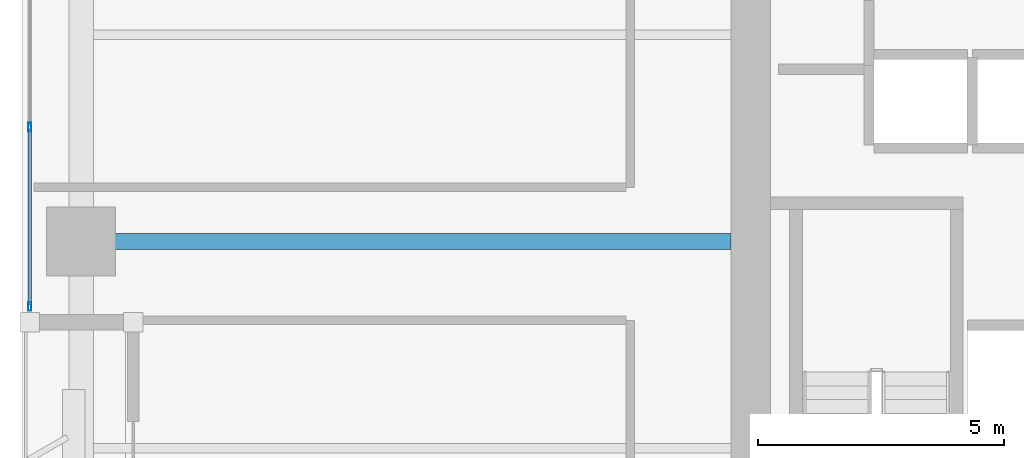
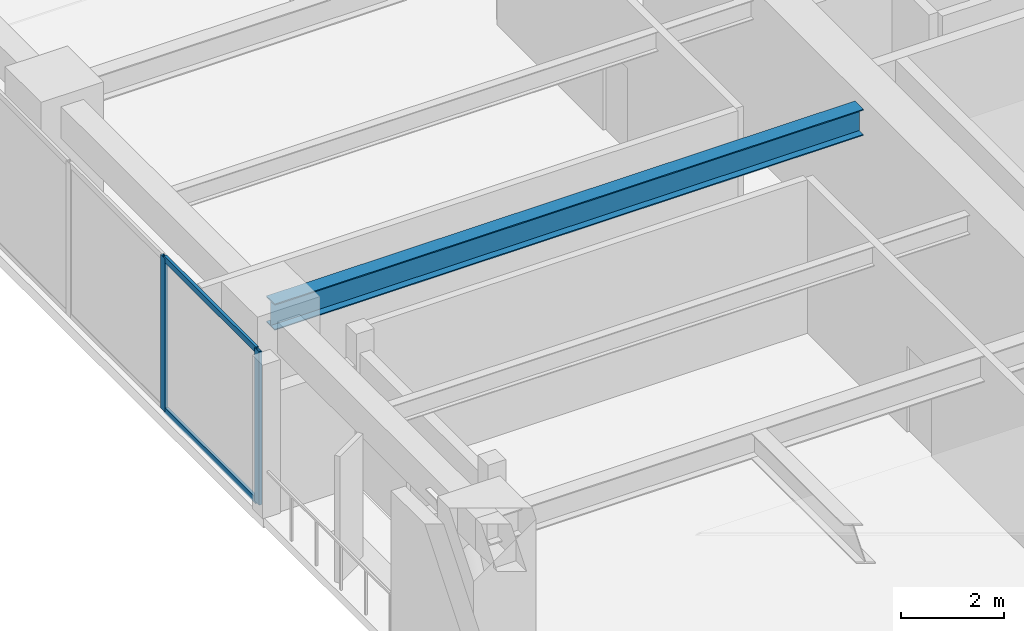
# One storey, part 2 of 24: 4 members, 1 beam, 1 element without a shape of its own.
"""IFC4 building model written with IfcOpenShell, lengths in metres."""

from ifc_helpers import new_model, si_unit, direction, frame, origin, origin_2d, place, context, subcontext, project, spatial, hollow_rectangle, i_section, extrude, material, layer, layer_set, material_profile, profile_set, type_object, element, aggregate, save


model = new_model("IFC4")

# Units and contexts
model_context = context("Model", 3, precision=1e-05, world=origin(), true_north=direction((0.0, 1.0)))
body_context = subcontext(model_context, "Body", "Model", "MODEL_VIEW")
ifc_project = project(units=[si_unit("LENGTHUNIT", "METRE"), si_unit("AREAUNIT", "SQUARE_METRE"), si_unit("VOLUMEUNIT", "CUBIC_METRE"), si_unit("PLANEANGLEUNIT", "RADIAN"), si_unit("MASSUNIT", "GRAM", prefix="KILO")], contexts=[model_context])

# Site, building, storey
site_placement = place(None, origin())
site = spatial("IfcSite", under=ifc_project, at=site_placement, CompositionType="ELEMENT")
building_placement = place(site_placement, origin())
building = spatial("IfcBuilding", under=site, at=building_placement, Name="Kiyonajd Concourse Tower", CompositionType="ELEMENT")
storey_placement = place(building_placement, frame((0.0, 0.0, 133.800048828125)))
storey = spatial("IfcBuildingStorey", under=building, at=storey_placement, Name="L34", CompositionType="ELEMENT", Elevation=133.800048828125)

# Beam
ifc_material_1 = material(Name="Steel ASTM A992 Grade 50", Category="steel")
ifc_material_profile_1 = material_profile(ifc_material_1, i_section(OverallWidth=0.326904296875, OverallDepth=0.6220703125, WebThickness=0.015380859375, FlangeThickness=0.0244140625, at=origin_2d()), Name="W610X195")
ifc_profile_set_1 = profile_set([ifc_material_profile_1], Name="Steel ASTM A992 Grade 50")
beam_type = type_object("IfcBeamType", Name="BM-TWR-610A", PredefinedType="BEAM", material=ifc_profile_set_1)
beam_placement = place(storey_placement, frame((19.199951171875, 36.0, 3.328857421875), z_axis=(1.0, 0.0, 0.0), x_axis=(0.0, 1.0, 0.0)))
element("IfcBeam", 1, at=beam_placement, inside=storey, type_object=beam_type, Name="L34 West Lease Girder", PredefinedType="BEAM", context=body_context, shape_type="SweptSolid", body=[
    extrude(i_section(OverallWidth=0.326904296875, OverallDepth=0.6220703125, WebThickness=0.015380859375, FlangeThickness=0.0244140625, at=origin_2d()), origin(), (0.0, 0.0, 1.0), 13.199951171875),
])

# Curtain wall, members
ifc_material_2 = material(Name="Thermally Broken Anodised Aluminium", Category="aluminium")
ifc_layer = layer(ifc_material_2, 0.179931640625)
ifc_layer_set = layer_set([ifc_layer], Name="Thermally Broken Anodised Aluminium")
curtain_wall_type = type_object("IfcCurtainWallType", Name="CW-SYS-03", PredefinedType="NOTDEFINED", material=ifc_layer_set)
curtain_wall_placement = place(storey_placement, origin())
curtain_wall = element("IfcCurtainWall", 2, at=curtain_wall_placement, inside=storey, type_object=curtain_wall_type, Name="L34 Unitised Curtain Wall CW3", PredefinedType="NOTDEFINED")
ifc_material_profile_2 = material_profile(ifc_material_2, hollow_rectangle(XDim=0.06494140625, YDim=0.179931640625, WallThickness=0.00390625, at=origin_2d()), Name="MULL-65x180")
ifc_profile_set_2 = profile_set([ifc_material_profile_2], Name="Thermally Broken Anodised Aluminium")
member_type_1 = type_object("IfcMemberType", Name="MB-CW-MULL1", PredefinedType="MULLION", material=ifc_profile_set_2)
member_1_placement = place(storey_placement, frame((18.159912109375, 34.6826171875, 0.0), z_axis=(0.0, 0.0, 1.0), x_axis=(-1.0, 0.0, 0.0)))
member_1 = element("IfcMember", 3, at=member_1_placement, type_object=member_type_1, Name="CW3 mullion 1", PredefinedType="MULLION", context=body_context, shape_type="SweptSolid", body=[
    extrude(hollow_rectangle(XDim=0.06494140625, YDim=0.179931640625, WallThickness=0.00390625, at=origin_2d()), origin(), (0.0, 0.0, 1.0), 3.639892578125),
])
member_2_placement = place(storey_placement, frame((18.159912109375, 38.3232421875, 0.0), z_axis=(0.0, 0.0, 1.0), x_axis=(-1.0, 0.0, 0.0)))
member_2 = element("IfcMember", 4, at=member_2_placement, type_object=member_type_1, Name="CW3 mullion 2", PredefinedType="MULLION", context=body_context, shape_type="SweptSolid", body=[
    extrude(hollow_rectangle(XDim=0.06494140625, YDim=0.179931640625, WallThickness=0.00390625, at=origin_2d()), origin(), (0.0, 0.0, 1.0), 3.639892578125),
])
ifc_material_profile_3 = material_profile(ifc_material_2, hollow_rectangle(XDim=0.06494140625, YDim=0.139892578125, WallThickness=0.00390625, at=origin_2d()), Name="TRAN-65x140")
ifc_profile_set_3 = profile_set([ifc_material_profile_3], Name="Thermally Broken Anodised Aluminium")
member_type_2 = type_object("IfcMemberType", Name="MB-CW-TRAN1", PredefinedType="USERDEFINED", material=ifc_profile_set_3)
member_3_placement = place(storey_placement, frame((18.159912109375, 34.715087890625, 0.032470703125), z_axis=(0.0, 1.0, 0.0), x_axis=(-1.0, 0.0, 0.0)))
member_3 = element("IfcMember", 5, at=member_3_placement, type_object=member_type_2, Name="CW3 transom 1.1", ObjectType="TRANSOM", PredefinedType="USERDEFINED", context=body_context, shape_type="SweptSolid", body=[
    extrude(hollow_rectangle(XDim=0.06494140625, YDim=0.139892578125, WallThickness=0.00390625, at=origin_2d()), origin(), (0.0, 0.0, 1.0), 3.57568359375),
])
member_4_placement = place(storey_placement, frame((18.159912109375, 34.715087890625, 3.607421875), z_axis=(0.0, 1.0, 0.0), x_axis=(-1.0, 0.0, 0.0)))
member_4 = element("IfcMember", 6, at=member_4_placement, type_object=member_type_2, Name="CW3 transom 1.2", ObjectType="TRANSOM", PredefinedType="USERDEFINED", context=body_context, shape_type="SweptSolid", body=[
    extrude(hollow_rectangle(XDim=0.06494140625, YDim=0.139892578125, WallThickness=0.00390625, at=origin_2d()), origin(), (0.0, 0.0, 1.0), 3.57568359375),
])
aggregate(curtain_wall, [member_1, member_2, member_3, member_4])

save(model, "model.ifc")
